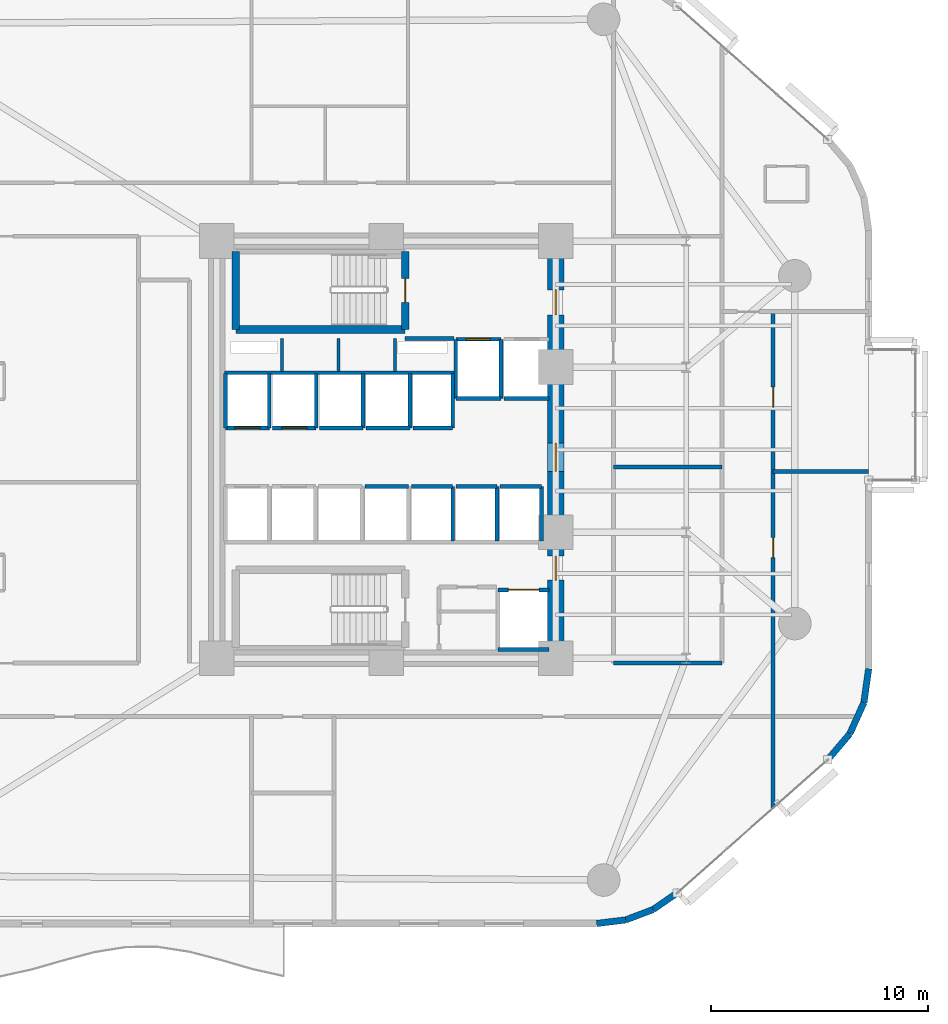
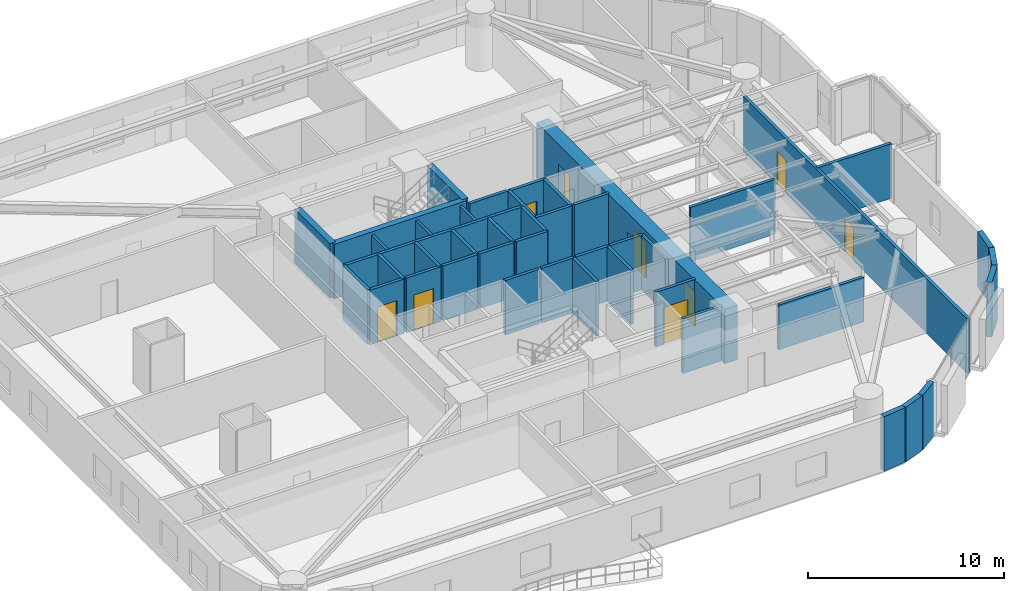
# One storey, part 11 of 16: 44 walls, 10 doors, 10 openings.
"""IFC4 building model written with IfcOpenShell, lengths in metres."""

from ifc_helpers import new_model, si_unit, direction, frame, frame_2d, origin, place, context, subcontext, project, spatial, rectangle, extrude, material, layer, layer_set, type_object, element, fill, save


model = new_model("IFC4")

# Units and contexts
model_context = context("Model", 3, precision=1e-05, world=origin(), true_north=direction((0.0, 1.0)))
body_context = subcontext(model_context, "Body", "Model", "MODEL_VIEW")
ifc_project = project(units=[si_unit("LENGTHUNIT", "METRE"), si_unit("AREAUNIT", "SQUARE_METRE"), si_unit("VOLUMEUNIT", "CUBIC_METRE"), si_unit("PLANEANGLEUNIT", "RADIAN"), si_unit("MASSUNIT", "GRAM", prefix="KILO")], contexts=[model_context])

# Site, building, storey
site_placement = place(None, origin())
site = spatial("IfcSite", under=ifc_project, at=site_placement, CompositionType="ELEMENT")
building_placement = place(site_placement, origin())
building = spatial("IfcBuilding", under=site, at=building_placement, Name="An Khanh Terracotta Commons", CompositionType="ELEMENT")
storey_placement = place(building_placement, frame((0.0, 0.0, 68.39990234375)))
storey = spatial("IfcBuildingStorey", under=building, at=storey_placement, Name="L18", CompositionType="ELEMENT", Elevation=68.39990234375)

# Wall, openings, doors
ifc_material_1 = material(Name="Concrete C70/85", Category="concrete")
ifc_layer_1 = layer(ifc_material_1, 0.75, Name="Concrete C70/85")
ifc_layer_set_1 = layer_set([ifc_layer_1], Name="Concrete C70/85")
wall_type_1 = type_object("IfcWallType", Name="WALL-CORE-750", PredefinedType="SHEAR", material=ifc_layer_set_1)
wall_1_placement = place(storey_placement, frame((37.199951171875, 14.39990234375, 0.0), z_axis=(0.0, 0.0, 1.0), x_axis=(0.0, 1.0, 0.0)))
wall_1 = element("IfcWall", 1, at=wall_1_placement, inside=storey, type_object=wall_type_1, Name="L18 Core Wall CWALL-L18-E", PredefinedType="SHEAR", context=body_context, shape_type="SweptSolid", body=[
    extrude(rectangle(XDim=19.2001953125, YDim=0.75, at=frame_2d((9.60009765625, 0.0))), origin(), (0.0, 0.0, 1.0), 3.400146484375),
])
opening_1_placement = place(wall_1_placement, frame((15.800048828125, 0.0, 0.0)))
opening_1 = element("IfcOpeningElement", 2, at=opening_1_placement, cuts=wall_1, Name="Opening D-FFL", PredefinedType="OPENING", context=body_context, shape_type="SweptSolid", body=[
    extrude(rectangle(XDim=1.14990234375, YDim=2.14990234375, at=frame_2d((0.574951171875, 1.074951171875))), frame((0.0, 0.385009765625, 0.0), z_axis=(0.0, -1.0, 0.0), x_axis=(1.0, 0.0, 0.0)), (0.0, 0.0, 1.0), 0.77001953125),
])
opening_2_placement = place(wall_1_placement, frame((3.60009765625, 0.0, 0.0)))
opening_2 = element("IfcOpeningElement", 3, at=opening_2_placement, cuts=wall_1, Name="Opening D-ST", PredefinedType="OPENING", context=body_context, shape_type="SweptSolid", body=[
    extrude(rectangle(XDim=1.10009765625, YDim=2.14990234375, at=frame_2d((0.550048828125, 1.074951171875))), frame((0.0, 0.385009765625, 0.0), z_axis=(0.0, -1.0, 0.0), x_axis=(1.0, 0.0, 0.0)), (0.0, 0.0, 1.0), 0.77001953125),
])
opening_3_placement = place(wall_1_placement, frame((8.60009765625, 0.0, 0.0)))
opening_3 = element("IfcOpeningElement", 4, at=opening_3_placement, cuts=wall_1, Name="Opening D-COR", PredefinedType="OPENING", context=body_context, shape_type="SweptSolid", body=[
    extrude(rectangle(XDim=1.300048828125, YDim=2.199951171875, at=frame_2d((0.64990234375, 1.10009765625))), frame((0.0, 0.385009765625, 0.0), z_axis=(0.0, -1.0, 0.0), x_axis=(1.0, 0.0, 0.0)), (0.0, 0.0, 1.0), 0.77001953125),
])
ifc_material_2 = material(Name="Fire-Rated Glazed Steel Double Door", Category="steel")
door_type_1 = type_object("IfcDoorType", Name="DOOR-CORR-1300", OperationType="NOTDEFINED", PredefinedType="DOOR", material=ifc_material_2)
door_1_placement = place(opening_3_placement, origin())
door_1 = element("IfcDoor", 5, at=door_1_placement, inside=storey, type_object=door_type_1, Name="L18 Passenger Lift Lobby Double Door", OperationType="DOUBLE_DOOR_SINGLE_SWING", OverallHeight=2.199951171875, OverallWidth=1.300048828125, PredefinedType="DOOR", context=body_context, shape_type="SweptSolid", body=[
    extrude(rectangle(XDim=1.300048828125, YDim=2.199951171875, at=frame_2d((0.64990234375, 1.10009765625))), frame((0.0, 0.02490234375, 0.0), z_axis=(0.0, -1.0, 0.0), x_axis=(1.0, 0.0, 0.0)), (0.0, 0.0, 1.0), 0.050048828125),
])
fill(opening_3, door_1)
ifc_material_3 = material(Name="Fire-Rated Steel Leaf and Vision Panel", Category="steel")
door_type_2 = type_object("IfcDoorType", Name="DOOR-FFL-1150", OperationType="NOTDEFINED", PredefinedType="DOOR", material=ifc_material_3)
door_2_placement = place(opening_1_placement, origin())
door_2 = element("IfcDoor", 6, at=door_2_placement, inside=storey, type_object=door_type_2, Name="L18 Firefighting Lift Lobby Fire Door", OperationType="SINGLE_SWING_RIGHT", OverallHeight=2.14990234375, OverallWidth=1.14990234375, PredefinedType="DOOR", context=body_context, shape_type="SweptSolid", body=[
    extrude(rectangle(XDim=1.14990234375, YDim=2.14990234375, at=frame_2d((0.574951171875, 1.074951171875))), frame((0.0, 0.02490234375, 0.0), z_axis=(0.0, -1.0, 0.0), x_axis=(1.0, 0.0, 0.0)), (0.0, 0.0, 1.0), 0.050048828125),
])
fill(opening_1, door_2)
ifc_material_4 = material(Name="Fire-Rated Steel Leaf and Frame", Category="steel")
door_type_3 = type_object("IfcDoorType", Name="DOOR-STAIR-1100", OperationType="NOTDEFINED", PredefinedType="DOOR", material=ifc_material_4)
door_3_placement = place(opening_2_placement, origin())
door_3 = element("IfcDoor", 7, at=door_3_placement, inside=storey, type_object=door_type_3, Name="L18 South Stair Lobby Fire Door", OperationType="SINGLE_SWING_LEFT", OverallHeight=2.14990234375, OverallWidth=1.10009765625, PredefinedType="DOOR", context=body_context, shape_type="SweptSolid", body=[
    extrude(rectangle(XDim=1.10009765625, YDim=2.14990234375, at=frame_2d((0.550048828125, 1.074951171875))), frame((0.0, 0.02490234375, 0.0), z_axis=(0.0, -1.0, 0.0), x_axis=(1.0, 0.0, 0.0)), (0.0, 0.0, 1.0), 0.050048828125),
])
fill(opening_2, door_3)

# Walls
ifc_material_5 = material(Name="Fire-Rated Gypsum Board on Steel Stud", Category="steel")
ifc_layer_2 = layer(ifc_material_5, 0.179931640625, Name="Fire-Rated Gypsum Board on Steel Stud")
ifc_layer_set_2 = layer_set([ifc_layer_2], Name="Fire-Rated Gypsum Board on Steel Stud")
wall_type_2 = type_object("IfcWallType", Name="WALL-CORR-180", PredefinedType="PARTITIONING", material=ifc_layer_set_2)
wall_2_placement = place(storey_placement, frame((30.27001953125, 29.1201171875, 0.0), z_axis=(0.0, 0.0, 1.0), x_axis=(1.0, 0.0, 0.0)))
element("IfcWall", 8, at=wall_2_placement, inside=storey, type_object=wall_type_2, Name="L18 Core Wall FFLW-L18-S", PredefinedType="PARTITIONING", context=body_context, shape_type="SweptSolid", body=[
    extrude(rectangle(XDim=2.239990234375, YDim=0.179931640625, at=frame_2d((1.1201171875, 0.0))), origin(), (0.0, 0.0, 1.0), 3.400146484375),
])
wall_3_placement = place(storey_placement, frame((21.949951171875, 27.5400390625, 0.0), z_axis=(0.0, 0.0, 1.0), x_axis=(1.0, 0.0, 0.0)))
element("IfcWall", 9, at=wall_3_placement, inside=storey, type_object=wall_type_2, Name="L18 Core Wall RSRW-L18-S", PredefinedType="PARTITIONING", context=body_context, shape_type="SweptSolid", body=[
    extrude(rectangle(XDim=10.56005859375, YDim=0.179931640625, at=frame_2d((5.280029296875, 0.0))), origin(), (0.0, 0.0, 1.0), 3.400146484375),
])

# Wall, opening, door
wall_4_placement = place(storey_placement, frame((32.60009765625, 29.080078125, 0.0), z_axis=(0.0, 0.0, 1.0), x_axis=(1.0, 0.0, 0.0)))
wall_4 = element("IfcWall", 10, at=wall_4_placement, inside=storey, type_object=wall_type_2, Name="L18 Core Wall LSH-L18-FFL-01-N", PredefinedType="PARTITIONING", context=body_context, shape_type="SweptSolid", body=[
    extrude(rectangle(XDim=2.079833984375, YDim=0.179931640625, at=frame_2d((1.0400390625, 0.0))), origin(), (0.0, 0.0, 1.0), 3.400146484375),
])
opening_4_placement = place(wall_4_placement, frame((0.489990234375, 0.0, 0.0)))
opening_4 = element("IfcOpeningElement", 11, at=opening_4_placement, cuts=wall_4, Name="Opening LD-FFL-01-L18", PredefinedType="OPENING", context=body_context, shape_type="SweptSolid", body=[
    extrude(rectangle(XDim=1.10009765625, YDim=2.199951171875, at=frame_2d((0.550048828125, 1.10009765625))), frame((0.0, 0.099853515625, 0.0), z_axis=(0.0, -1.0, 0.0), x_axis=(1.0, 0.0, 0.0)), (0.0, 0.0, 1.0), 0.199951171875),
])
ifc_material_6 = material(Name="Brushed Stainless Steel Fire Landing Door", Category="steel")
door_type_4 = type_object("IfcDoorType", Name="DOOR-LD-FFL-1100", OperationType="NOTDEFINED", PredefinedType="DOOR", material=ifc_material_6)
door_4_placement = place(opening_4_placement, origin())
door_4 = element("IfcDoor", 12, at=door_4_placement, inside=storey, type_object=door_type_4, Name="L18 Lift FFL-01 Sliding Landing Door", OperationType="DOUBLE_DOOR_SLIDING", OverallHeight=2.199951171875, OverallWidth=1.10009765625, PredefinedType="DOOR", context=body_context, shape_type="SweptSolid", body=[
    extrude(rectangle(XDim=1.10009765625, YDim=2.199951171875, at=frame_2d((0.550048828125, 1.10009765625))), frame((0.0, 0.02490234375, 0.0), z_axis=(0.0, -1.0, 0.0), x_axis=(1.0, 0.0, 0.0)), (0.0, 0.0, 1.0), 0.050048828125),
])
fill(opening_4, door_4)

# Walls
wall_5_placement = place(storey_placement, frame((34.679931640625, 26.35009765625, 0.0), z_axis=(0.0, 0.0, 1.0), x_axis=(-1.0, 0.0, 0.0)))
element("IfcWall", 13, at=wall_5_placement, inside=storey, type_object=wall_type_2, Name="L18 Core Wall LSH-L18-FFL-01-S", PredefinedType="PARTITIONING", context=body_context, shape_type="SweptSolid", body=[
    extrude(rectangle(XDim=2.079833984375, YDim=0.179931640625, at=frame_2d((1.0400390625, 0.0))), origin(), (0.0, 0.0, 1.0), 3.400146484375),
])
for number, where, z_axis, x_axis, name in (
    (14, (34.679931640625, 26.35009765625, 0.0), (0.0, 0.0, 1.0), (0.0, 1.0, 0.0), "L18 Core Wall LSH-L18-FFL-01-E"),
    (15, (32.60009765625, 29.080078125, 0.0), (0.0, 0.0, 1.0), (0.0, -1.0, 0.0), "L18 Core Wall LSH-L18-FFL-01-W"),
):
    element("IfcWall", number, at=place(storey_placement, frame(where, z_axis=z_axis, x_axis=x_axis)), inside=storey, type_object=wall_type_2, Name=name, PredefinedType="PARTITIONING", context=body_context, shape_type="SweptSolid", body=[
        extrude(rectangle(XDim=2.72998046875, YDim=0.179931640625, at=frame_2d((1.364990234375, 0.0))), origin(), (0.0, 0.0, 1.0), 3.400146484375),
    ])
wall_6_placement = place(storey_placement, frame((36.89990234375, 26.35009765625, 0.0), z_axis=(0.0, 0.0, 1.0), x_axis=(-1.0, 0.0, 0.0)))
element("IfcWall", 16, at=wall_6_placement, inside=storey, type_object=wall_type_2, Name="L18 Core Wall LSH-L18-FFL-02-S", PredefinedType="PARTITIONING", context=body_context, shape_type="SweptSolid", body=[
    extrude(rectangle(XDim=2.079833984375, YDim=0.179931640625, at=frame_2d((1.0400390625, 0.0))), origin(), (0.0, 0.0, 1.0), 3.400146484375),
])

# Wall, opening, door
wall_7_placement = place(storey_placement, frame((34.550048828125, 17.550048828125, 0.0), z_axis=(0.0, 0.0, 1.0), x_axis=(1.0, 0.0, 0.0)))
wall_7 = element("IfcWall", 17, at=wall_7_placement, inside=storey, type_object=wall_type_2, Name="L18 Core Wall LSH-L18-SVL-01-N", PredefinedType="PARTITIONING", context=body_context, shape_type="SweptSolid", body=[
    extrude(rectangle(XDim=2.349853515625, YDim=0.179931640625, at=frame_2d((1.1748046875, 0.0))), origin(), (0.0, 0.0, 1.0), 3.400146484375),
])
opening_5_placement = place(wall_7_placement, frame((0.47509765625, 0.0, 0.0)))
opening_5 = element("IfcOpeningElement", 18, at=opening_5_placement, cuts=wall_7, Name="Opening LD-SVL-01-L18", PredefinedType="OPENING", context=body_context, shape_type="SweptSolid", body=[
    extrude(rectangle(XDim=1.39990234375, YDim=2.300048828125, at=frame_2d((0.699951171875, 1.14990234375))), frame((0.0, 0.099853515625, 0.0), z_axis=(0.0, -1.0, 0.0), x_axis=(1.0, 0.0, 0.0)), (0.0, 0.0, 1.0), 0.199951171875),
])
ifc_material_7 = material(Name="Heavy-Duty Stainless Steel Goods Landing Door", Category="steel")
door_type_5 = type_object("IfcDoorType", Name="DOOR-LD-SVL-1400", OperationType="NOTDEFINED", PredefinedType="DOOR", material=ifc_material_7)
door_5_placement = place(opening_5_placement, origin())
door_5 = element("IfcDoor", 19, at=door_5_placement, inside=storey, type_object=door_type_5, Name="L18 Lift SVL-01 Sliding Landing Door", OperationType="DOUBLE_DOOR_SLIDING", OverallHeight=2.300048828125, OverallWidth=1.39990234375, PredefinedType="DOOR", context=body_context, shape_type="SweptSolid", body=[
    extrude(rectangle(XDim=1.39990234375, YDim=2.300048828125, at=frame_2d((0.699951171875, 1.14990234375))), frame((0.0, 0.02490234375, 0.0), z_axis=(0.0, -1.0, 0.0), x_axis=(1.0, 0.0, 0.0)), (0.0, 0.0, 1.0), 0.050048828125),
])
fill(opening_5, door_5)

# Wall
wall_8_placement = place(storey_placement, frame((36.89990234375, 14.800048828125, 0.0), z_axis=(0.0, 0.0, 1.0), x_axis=(-1.0, 0.0, 0.0)))
element("IfcWall", 20, at=wall_8_placement, inside=storey, type_object=wall_type_2, Name="L18 Core Wall LSH-L18-SVL-01-S", PredefinedType="PARTITIONING", context=body_context, shape_type="SweptSolid", body=[
    extrude(rectangle(XDim=2.349853515625, YDim=0.179931640625, at=frame_2d((1.1748046875, 0.0))), origin(), (0.0, 0.0, 1.0), 3.400146484375),
])

# Wall, opening, door
wall_9_placement = place(storey_placement, frame((24.02001953125, 25.0, 0.0), z_axis=(0.0, 0.0, 1.0), x_axis=(-1.0, 0.0, 0.0)))
wall_9 = element("IfcWall", 21, at=wall_9_placement, inside=storey, type_object=wall_type_2, Name="L18 Core Wall LSH-L18-PL-L1-S", PredefinedType="PARTITIONING", context=body_context, shape_type="SweptSolid", body=[
    extrude(rectangle(XDim=2.02001953125, YDim=0.179931640625, at=frame_2d((1.010009765625, 0.0))), origin(), (0.0, 0.0, 1.0), 3.400146484375),
])
opening_6_placement = place(wall_9_placement, frame((0.43505859375, 0.0, 0.0)))
opening_6 = element("IfcOpeningElement", 22, at=opening_6_placement, cuts=wall_9, Name="Opening LD-PL-L1-L18", PredefinedType="OPENING", context=body_context, shape_type="SweptSolid", body=[
    extrude(rectangle(XDim=1.14990234375, YDim=2.199951171875, at=frame_2d((0.574951171875, 1.10009765625))), frame((0.0, 0.099853515625, 0.0), z_axis=(0.0, -1.0, 0.0), x_axis=(1.0, 0.0, 0.0)), (0.0, 0.0, 1.0), 0.199951171875),
])
ifc_material_8 = material(Name="Brushed Stainless Steel Passenger Landing Door", Category="steel")
door_type_6 = type_object("IfcDoorType", Name="DOOR-LD-PAX-1150", OperationType="NOTDEFINED", PredefinedType="DOOR", material=ifc_material_8)
door_6_placement = place(opening_6_placement, origin())
door_6 = element("IfcDoor", 23, at=door_6_placement, inside=storey, type_object=door_type_6, Name="L18 Lift PL-L1 Sliding Landing Door", OperationType="DOUBLE_DOOR_SLIDING", OverallHeight=2.199951171875, OverallWidth=1.14990234375, PredefinedType="DOOR", context=body_context, shape_type="SweptSolid", body=[
    extrude(rectangle(XDim=1.14990234375, YDim=2.199951171875, at=frame_2d((0.574951171875, 1.10009765625))), frame((0.0, 0.02490234375, 0.0), z_axis=(0.0, -1.0, 0.0), x_axis=(1.0, 0.0, 0.0)), (0.0, 0.0, 1.0), 0.050048828125),
])
fill(opening_6, door_6)

# Walls
for number, where, z_axis, x_axis, name in (
    (24, (24.02001953125, 25.0, 0.0), (0.0, 0.0, 1.0), (0.0, 1.0, 0.0), "L18 Core Wall LSH-L18-PL-L1-E"),
    (25, (22.0, 27.5, 0.0), (0.0, 0.0, 1.0), (0.0, -1.0, 0.0), "L18 Core Wall LSH-L18-PL-L1-W"),
):
    element("IfcWall", number, at=place(storey_placement, frame(where, z_axis=z_axis, x_axis=x_axis)), inside=storey, type_object=wall_type_2, Name=name, PredefinedType="PARTITIONING", context=body_context, shape_type="SweptSolid", body=[
        extrude(rectangle(XDim=2.5, YDim=0.179931640625, at=frame_2d((1.25, 0.0))), origin(), (0.0, 0.0, 1.0), 3.400146484375),
    ])

# Wall, opening, door
wall_10_placement = place(storey_placement, frame((26.179931640625, 25.0, 0.0), z_axis=(0.0, 0.0, 1.0), x_axis=(-1.0, 0.0, 0.0)))
wall_10 = element("IfcWall", 26, at=wall_10_placement, inside=storey, type_object=wall_type_2, Name="L18 Core Wall LSH-L18-PL-L2-S", PredefinedType="PARTITIONING", context=body_context, shape_type="SweptSolid", body=[
    extrude(rectangle(XDim=2.02001953125, YDim=0.179931640625, at=frame_2d((1.010009765625, 0.0))), origin(), (0.0, 0.0, 1.0), 3.400146484375),
])
opening_7_placement = place(wall_10_placement, frame((0.43505859375, 0.0, 0.0)))
opening_7 = element("IfcOpeningElement", 27, at=opening_7_placement, cuts=wall_10, Name="Opening LD-PL-L2-L18", PredefinedType="OPENING", context=body_context, shape_type="SweptSolid", body=[
    extrude(rectangle(XDim=1.14990234375, YDim=2.199951171875, at=frame_2d((0.574951171875, 1.10009765625))), frame((0.0, 0.099853515625, 0.0), z_axis=(0.0, -1.0, 0.0), x_axis=(1.0, 0.0, 0.0)), (0.0, 0.0, 1.0), 0.199951171875),
])
door_7_placement = place(opening_7_placement, origin())
door_7 = element("IfcDoor", 28, at=door_7_placement, inside=storey, type_object=door_type_6, Name="L18 Lift PL-L2 Sliding Landing Door", OperationType="DOUBLE_DOOR_SLIDING", OverallHeight=2.199951171875, OverallWidth=1.14990234375, PredefinedType="DOOR", context=body_context, shape_type="SweptSolid", body=[
    extrude(rectangle(XDim=1.14990234375, YDim=2.199951171875, at=frame_2d((0.574951171875, 1.10009765625))), frame((0.0, 0.02490234375, 0.0), z_axis=(0.0, -1.0, 0.0), x_axis=(1.0, 0.0, 0.0)), (0.0, 0.0, 1.0), 0.050048828125),
])
fill(opening_7, door_7)

# Walls
wall_11_placement = place(storey_placement, frame((26.179931640625, 25.0, 0.0), z_axis=(0.0, 0.0, 1.0), x_axis=(0.0, 1.0, 0.0)))
element("IfcWall", 29, at=wall_11_placement, inside=storey, type_object=wall_type_2, Name="L18 Core Wall LSH-L18-PL-L2-E", PredefinedType="PARTITIONING", context=body_context, shape_type="SweptSolid", body=[
    extrude(rectangle(XDim=2.5, YDim=0.179931640625, at=frame_2d((1.25, 0.0))), origin(), (0.0, 0.0, 1.0), 3.400146484375),
])
wall_12_placement = place(storey_placement, frame((28.340087890625, 25.0, 0.0), z_axis=(0.0, 0.0, 1.0), x_axis=(-1.0, 0.0, 0.0)))
element("IfcWall", 30, at=wall_12_placement, inside=storey, type_object=wall_type_2, Name="L18 Core Wall LSH-L18-PL-M1-S", PredefinedType="PARTITIONING", context=body_context, shape_type="SweptSolid", body=[
    extrude(rectangle(XDim=2.02001953125, YDim=0.179931640625, at=frame_2d((1.010009765625, 0.0))), origin(), (0.0, 0.0, 1.0), 3.400146484375),
])
wall_13_placement = place(storey_placement, frame((28.340087890625, 25.0, 0.0), z_axis=(0.0, 0.0, 1.0), x_axis=(0.0, 1.0, 0.0)))
element("IfcWall", 31, at=wall_13_placement, inside=storey, type_object=wall_type_2, Name="L18 Core Wall LSH-L18-PL-M1-E", PredefinedType="PARTITIONING", context=body_context, shape_type="SweptSolid", body=[
    extrude(rectangle(XDim=2.5, YDim=0.179931640625, at=frame_2d((1.25, 0.0))), origin(), (0.0, 0.0, 1.0), 3.400146484375),
])
wall_14_placement = place(storey_placement, frame((30.5, 25.0, 0.0), z_axis=(0.0, 0.0, 1.0), x_axis=(-1.0, 0.0, 0.0)))
element("IfcWall", 32, at=wall_14_placement, inside=storey, type_object=wall_type_2, Name="L18 Core Wall LSH-L18-PL-M2-S", PredefinedType="PARTITIONING", context=body_context, shape_type="SweptSolid", body=[
    extrude(rectangle(XDim=2.02001953125, YDim=0.179931640625, at=frame_2d((1.010009765625, 0.0))), origin(), (0.0, 0.0, 1.0), 3.400146484375),
])
wall_15_placement = place(storey_placement, frame((30.5, 25.0, 0.0), z_axis=(0.0, 0.0, 1.0), x_axis=(0.0, 1.0, 0.0)))
element("IfcWall", 33, at=wall_15_placement, inside=storey, type_object=wall_type_2, Name="L18 Core Wall LSH-L18-PL-M2-E", PredefinedType="PARTITIONING", context=body_context, shape_type="SweptSolid", body=[
    extrude(rectangle(XDim=2.5, YDim=0.179931640625, at=frame_2d((1.25, 0.0))), origin(), (0.0, 0.0, 1.0), 3.400146484375),
])
wall_16_placement = place(storey_placement, frame((28.419921875, 22.300048828125, 0.0), z_axis=(0.0, 0.0, 1.0), x_axis=(1.0, 0.0, 0.0)))
element("IfcWall", 34, at=wall_16_placement, inside=storey, type_object=wall_type_2, Name="L18 Core Wall LSH-L18-PL-M4-N", PredefinedType="PARTITIONING", context=body_context, shape_type="SweptSolid", body=[
    extrude(rectangle(XDim=2.0, YDim=0.179931640625, at=frame_2d((1.0, 0.0))), origin(), (0.0, 0.0, 1.0), 3.400146484375),
])
wall_17_placement = place(storey_placement, frame((32.4599609375, 25.0, 0.0), z_axis=(0.0, 0.0, 1.0), x_axis=(-1.0, 0.0, 0.0)))
element("IfcWall", 35, at=wall_17_placement, inside=storey, type_object=wall_type_2, Name="L18 Core Wall LSH-L18-PL-H1-S", PredefinedType="PARTITIONING", context=body_context, shape_type="SweptSolid", body=[
    extrude(rectangle(XDim=1.820068359375, YDim=0.179931640625, at=frame_2d((0.91015625, 0.0))), origin(), (0.0, 0.0, 1.0), 3.400146484375),
])
wall_18_placement = place(storey_placement, frame((32.4599609375, 25.0, 0.0), z_axis=(0.0, 0.0, 1.0), x_axis=(0.0, 1.0, 0.0)))
element("IfcWall", 36, at=wall_18_placement, inside=storey, type_object=wall_type_2, Name="L18 Core Wall LSH-L18-PL-H1-E", PredefinedType="PARTITIONING", context=body_context, shape_type="SweptSolid", body=[
    extrude(rectangle(XDim=2.5, YDim=0.179931640625, at=frame_2d((1.25, 0.0))), origin(), (0.0, 0.0, 1.0), 3.400146484375),
])
wall_19_placement = place(storey_placement, frame((30.56005859375, 22.300048828125, 0.0), z_axis=(0.0, 0.0, 1.0), x_axis=(1.0, 0.0, 0.0)))
element("IfcWall", 37, at=wall_19_placement, inside=storey, type_object=wall_type_2, Name="L18 Core Wall LSH-L18-PL-H2-N", PredefinedType="PARTITIONING", context=body_context, shape_type="SweptSolid", body=[
    extrude(rectangle(XDim=1.89990234375, YDim=0.179931640625, at=frame_2d((0.949951171875, 0.0))), origin(), (0.0, 0.0, 1.0), 3.400146484375),
])
wall_20_placement = place(storey_placement, frame((32.4599609375, 19.800048828125, 0.0), z_axis=(0.0, 0.0, 1.0), x_axis=(0.0, 1.0, 0.0)))
element("IfcWall", 38, at=wall_20_placement, inside=storey, type_object=wall_type_2, Name="L18 Core Wall LSH-L18-PL-H2-E", PredefinedType="PARTITIONING", context=body_context, shape_type="SweptSolid", body=[
    extrude(rectangle(XDim=2.5, YDim=0.179931640625, at=frame_2d((1.25, 0.0))), origin(), (0.0, 0.0, 1.0), 3.400146484375),
])
wall_21_placement = place(storey_placement, frame((32.60009765625, 22.300048828125, 0.0), z_axis=(0.0, 0.0, 1.0), x_axis=(1.0, 0.0, 0.0)))
element("IfcWall", 39, at=wall_21_placement, inside=storey, type_object=wall_type_2, Name="L18 Core Wall LSH-L18-PL-H3-N", PredefinedType="PARTITIONING", context=body_context, shape_type="SweptSolid", body=[
    extrude(rectangle(XDim=1.89990234375, YDim=0.179931640625, at=frame_2d((0.949951171875, 0.0))), origin(), (0.0, 0.0, 1.0), 3.400146484375),
])
wall_22_placement = place(storey_placement, frame((34.5, 19.800048828125, 0.0), z_axis=(0.0, 0.0, 1.0), x_axis=(0.0, 1.0, 0.0)))
element("IfcWall", 40, at=wall_22_placement, inside=storey, type_object=wall_type_2, Name="L18 Core Wall LSH-L18-PL-H3-E", PredefinedType="PARTITIONING", context=body_context, shape_type="SweptSolid", body=[
    extrude(rectangle(XDim=2.5, YDim=0.179931640625, at=frame_2d((1.25, 0.0))), origin(), (0.0, 0.0, 1.0), 3.400146484375),
])
wall_23_placement = place(storey_placement, frame((34.639892578125, 22.300048828125, 0.0), z_axis=(0.0, 0.0, 1.0), x_axis=(1.0, 0.0, 0.0)))
element("IfcWall", 41, at=wall_23_placement, inside=storey, type_object=wall_type_2, Name="L18 Core Wall LSH-L18-PL-H4-N", PredefinedType="PARTITIONING", context=body_context, shape_type="SweptSolid", body=[
    extrude(rectangle(XDim=1.900146484375, YDim=0.179931640625, at=frame_2d((0.9501953125, 0.0))), origin(), (0.0, 0.0, 1.0), 3.400146484375),
])
wall_24_placement = place(storey_placement, frame((36.5400390625, 19.800048828125, 0.0), z_axis=(0.0, 0.0, 1.0), x_axis=(0.0, 1.0, 0.0)))
element("IfcWall", 42, at=wall_24_placement, inside=storey, type_object=wall_type_2, Name="L18 Core Wall LSH-L18-PL-H4-E", PredefinedType="PARTITIONING", context=body_context, shape_type="SweptSolid", body=[
    extrude(rectangle(XDim=2.5, YDim=0.179931640625, at=frame_2d((1.25, 0.0))), origin(), (0.0, 0.0, 1.0), 3.400146484375),
])
wall_25_placement = place(storey_placement, frame((39.85009765625, 14.179931640625, 0.0), z_axis=(0.0, 0.0, 1.0), x_axis=(1.0, 0.0, 0.0)))
element("IfcWall", 43, at=wall_25_placement, inside=storey, type_object=wall_type_2, Name="L18 Interior Partition IW-L18-E004", PredefinedType="PARTITIONING", context=body_context, shape_type="SweptSolid", body=[
    extrude(rectangle(XDim=5.0, YDim=0.179931640625, at=frame_2d((2.5, 0.0))), origin(), (0.0, 0.0, 1.0), 2.781982421875),
])
wall_26_placement = place(storey_placement, frame((47.199951171875, 23.0, 0.0), z_axis=(0.0, 0.0, 1.0), x_axis=(1.0, 0.0, 0.0)))
element("IfcWall", 44, at=wall_26_placement, inside=storey, type_object=wall_type_2, Name="L18 Interior Partition IW-L18-E006", PredefinedType="PARTITIONING", context=body_context, shape_type="SweptSolid", body=[
    extrude(rectangle(XDim=4.400146484375, YDim=0.179931640625, at=frame_2d((2.2001953125, 0.0))), origin(), (0.0, 0.0, 1.0), 3.400146484375),
])
wall_27_placement = place(storey_placement, frame((39.85009765625, 23.199951171875, 0.0), z_axis=(0.0, 0.0, 1.0), x_axis=(1.0, 0.0, 0.0)))
element("IfcWall", 45, at=wall_27_placement, inside=storey, type_object=wall_type_2, Name="L18 Interior Partition IW-L18-E007", PredefinedType="PARTITIONING", context=body_context, shape_type="SweptSolid", body=[
    extrude(rectangle(XDim=5.0, YDim=0.179931640625, at=frame_2d((2.5, 0.0))), origin(), (0.0, 0.0, 1.0), 3.400146484375),
])

# Wall, openings, doors
wall_28_placement = place(storey_placement, frame((47.199951171875, 7.508056640625, 0.0), z_axis=(0.0, 0.0, 1.0), x_axis=(0.0, 1.0, 0.0)))
wall_28 = element("IfcWall", 46, at=wall_28_placement, inside=storey, type_object=wall_type_2, Name="L18 Interior Partition IW-L18-E025", PredefinedType="PARTITIONING", context=body_context, shape_type="SweptSolid", body=[
    extrude(rectangle(XDim=22.842041015625, YDim=0.179931640625, at=frame_2d((11.4208984375, 0.0))), origin(), (0.0, 0.0, 1.0), 3.400146484375),
])
opening_8_placement = place(wall_28_placement, frame((18.447021484375, 0.0, 0.0)))
opening_8 = element("IfcOpeningElement", 47, at=opening_8_placement, cuts=wall_28, Name="Opening D-RM", PredefinedType="OPENING", context=body_context, shape_type="SweptSolid", body=[
    extrude(rectangle(XDim=0.919921875, YDim=2.10009765625, at=frame_2d((0.4599609375, 1.050048828125))), frame((0.0, 0.099853515625, 0.0), z_axis=(0.0, -1.0, 0.0), x_axis=(1.0, 0.0, 0.0)), (0.0, 0.0, 1.0), 0.199951171875),
])
opening_9_placement = place(wall_28_placement, frame((11.52392578125, 0.0, 0.0)))
opening_9 = element("IfcOpeningElement", 48, at=opening_9_placement, cuts=wall_28, Name="Opening D-RM", PredefinedType="OPENING", context=body_context, shape_type="SweptSolid", body=[
    extrude(rectangle(XDim=0.919921875, YDim=2.10009765625, at=frame_2d((0.4599609375, 1.050048828125))), frame((0.0, 0.099853515625, 0.0), z_axis=(0.0, -1.0, 0.0), x_axis=(1.0, 0.0, 0.0)), (0.0, 0.0, 1.0), 0.199951171875),
])
ifc_material_9 = material(Name="Engineered Hardwood Timber Leaf", Category="wood")
door_type_7 = type_object("IfcDoorType", Name="DOOR-INT-920", OperationType="NOTDEFINED", PredefinedType="DOOR", material=ifc_material_9)
door_8_placement = place(opening_8_placement, origin())
door_8 = element("IfcDoor", 49, at=door_8_placement, inside=storey, type_object=door_type_7, Name="L18 ENO1 Co-Living Private Bedroom Door", OperationType="SINGLE_SWING_LEFT", OverallHeight=2.10009765625, OverallWidth=0.919921875, PredefinedType="DOOR", context=body_context, shape_type="SweptSolid", body=[
    extrude(rectangle(XDim=0.919921875, YDim=2.10009765625, at=frame_2d((0.4599609375, 1.050048828125))), frame((0.0, 0.02490234375, 0.0), z_axis=(0.0, -1.0, 0.0), x_axis=(1.0, 0.0, 0.0)), (0.0, 0.0, 1.0), 0.050048828125),
])
fill(opening_8, door_8)
door_9_placement = place(opening_9_placement, origin())
door_9 = element("IfcDoor", 50, at=door_9_placement, inside=storey, type_object=door_type_7, Name="L18 ENO2 Co-Living Master Bedroom Door", OperationType="SINGLE_SWING_RIGHT", OverallHeight=2.10009765625, OverallWidth=0.919921875, PredefinedType="DOOR", context=body_context, shape_type="SweptSolid", body=[
    extrude(rectangle(XDim=0.919921875, YDim=2.10009765625, at=frame_2d((0.4599609375, 1.050048828125))), frame((0.0, 0.02490234375, 0.0), z_axis=(0.0, -1.0, 0.0), x_axis=(1.0, 0.0, 0.0)), (0.0, 0.0, 1.0), 0.050048828125),
])
fill(opening_9, door_9)

# Walls
ifc_material_10 = material(Name="Precast concrete C40/50", Category="concrete")
ifc_layer_3 = layer(ifc_material_10, 0.300048828125, Name="Precast concrete C40/50")
ifc_layer_set_3 = layer_set([ifc_layer_3], Name="Precast concrete C40/50")
wall_type_3 = type_object("IfcWallType", Name="WALL-EXT-300", PredefinedType="SOLIDWALL", material=ifc_layer_set_3)
wall_29_placement = place(storey_placement, frame((39.0791015625, 2.199951171875, 0.0), z_axis=(0.0, 0.0, 1.0), x_axis=(0.992739027259, 0.120288086515, 0.0)))
element("IfcWall", 51, at=wall_29_placement, inside=storey, type_object=wall_type_3, Name="L18 Insulated Terracotta Exterior Wall 5", PredefinedType="SOLIDWALL", context=body_context, shape_type="SweptSolid", body=[
    extrude(rectangle(XDim=1.34765625, YDim=0.300048828125, at=frame_2d((0.673828125, 0.0))), origin(), (0.0, 0.0, 1.0), 3.400146484375),
])
wall_30_placement = place(storey_placement, frame((40.4169921875, 2.362060546875, 0.0), z_axis=(0.0, 0.0, 1.0), x_axis=(0.935156721165, 0.354234254216, 0.0)))
element("IfcWall", 52, at=wall_30_placement, inside=storey, type_object=wall_type_3, Name="L18 Insulated Terracotta Exterior Wall 6", PredefinedType="SOLIDWALL", context=body_context, shape_type="SweptSolid", body=[
    extrude(rectangle(XDim=1.349365234375, YDim=0.300048828125, at=frame_2d((0.6748046875, 0.0))), origin(), (0.0, 0.0, 1.0), 3.400146484375),
])
wall_31_placement = place(storey_placement, frame((41.678955078125, 2.840087890625, 0.0), z_axis=(0.0, 0.0, 1.0), x_axis=(0.823116500192, 0.567872544777, 0.0)))
element("IfcWall", 53, at=wall_31_placement, inside=storey, type_object=wall_type_3, Name="L18 Insulated Terracotta Exterior Wall 7", PredefinedType="SOLIDWALL", context=body_context, shape_type="SweptSolid", body=[
    extrude(rectangle(XDim=1.3486328125, YDim=0.300048828125, at=frame_2d((0.67431640625, 0.0))), origin(), (0.0, 0.0, 1.0), 3.400146484375),
])
wall_32_placement = place(storey_placement, frame((49.7099609375, 9.72802734375, 0.0), z_axis=(0.0, 0.0, 1.0), x_axis=(0.648389989909, 0.7613083613, 0.0)))
element("IfcWall", 54, at=wall_32_placement, inside=storey, type_object=wall_type_3, Name="L18 Insulated Terracotta Exterior Wall 9", PredefinedType="SOLIDWALL", context=body_context, shape_type="SweptSolid", body=[
    extrude(rectangle(XDim=1.576171875, YDim=0.300048828125, at=frame_2d((0.7880859375, 0.0))), origin(), (0.0, 0.0, 1.0), 3.400146484375),
])
wall_33_placement = place(storey_placement, frame((50.73193359375, 10.927978515625, 0.0), z_axis=(0.0, 0.0, 1.0), x_axis=(0.410996558744, 0.911636895206, 0.0)))
element("IfcWall", 55, at=wall_33_placement, inside=storey, type_object=wall_type_3, Name="L18 Insulated Terracotta Exterior Wall 10", PredefinedType="SOLIDWALL", context=body_context, shape_type="SweptSolid", body=[
    extrude(rectangle(XDim=1.57421875, YDim=0.300048828125, at=frame_2d((0.787109375, 0.0))), origin(), (0.0, 0.0, 1.0), 3.400146484375),
])
wall_34_placement = place(storey_placement, frame((51.37890625, 12.363037109375, 0.0), z_axis=(0.0, 0.0, 1.0), x_axis=(0.140380048512, 0.990097693149, 0.0)))
element("IfcWall", 56, at=wall_34_placement, inside=storey, type_object=wall_type_3, Name="L18 Insulated Terracotta Exterior Wall 11", PredefinedType="SOLIDWALL", context=body_context, shape_type="SweptSolid", body=[
    extrude(rectangle(XDim=1.57568359375, YDim=0.300048828125, at=frame_2d((0.787841796875, 0.0))), origin(), (0.0, 0.0, 1.0), 3.400146484375),
])
ifc_material_11 = material(Name="Acoustic Gypsum Board Partition")
ifc_layer_4 = layer(ifc_material_11, 0.14990234375, Name="Acoustic Gypsum Board Partition")
ifc_layer_set_4 = layer_set([ifc_layer_4], Name="Acoustic Gypsum Board Partition")
wall_type_4 = type_object("IfcWallType", Name="WALL-PART-150", PredefinedType="PARTITIONING", material=ifc_layer_set_4)
for number, where, z_axis, x_axis, name in (
    (57, (24.60009765625, 27.60009765625, 0.0), (0.0, 0.0, 1.0), (0.0, 1.0, 0.0), "L18 Core Wall RSRW-L18-D1"),
    (58, (27.199951171875, 27.60009765625, 0.0), (0.0, 0.0, 1.0), (0.0, 1.0, 0.0), "L18 Core Wall RSRW-L18-D2"),
    (59, (29.800048828125, 27.60009765625, 0.0), (0.0, 0.0, 1.0), (0.0, 1.0, 0.0), "L18 Core Wall RSRW-L18-D3"),
):
    element("IfcWall", number, at=place(storey_placement, frame(where, z_axis=z_axis, x_axis=x_axis)), inside=storey, type_object=wall_type_4, Name=name, PredefinedType="PARTITIONING", context=body_context, shape_type="SweptSolid", body=[
        extrude(rectangle(XDim=1.52001953125, YDim=0.14990234375, at=frame_2d((0.760009765625, 0.0))), origin(), (0.0, 0.0, 1.0), 3.400146484375),
    ])
ifc_material_12 = material(Name="Concrete C50/60", Category="concrete")
ifc_layer_5 = layer(ifc_material_12, 0.35009765625, Name="Concrete C50/60")
ifc_layer_set_5 = layer_set([ifc_layer_5], Name="Concrete C50/60")
wall_type_5 = type_object("IfcWallType", Name="WALL-SHAFT-350", PredefinedType="SOLIDWALL", material=ifc_layer_set_5)
wall_35_placement = place(storey_placement, frame((22.47998046875, 29.530029296875, 0.0), z_axis=(0.0, 0.0, 1.0), x_axis=(1.0, 0.0, 0.0)))
element("IfcWall", 60, at=wall_35_placement, inside=storey, type_object=wall_type_5, Name="L18 Core Wall STW-L18-N-S", PredefinedType="SOLIDWALL", context=body_context, shape_type="SweptSolid", body=[
    extrude(rectangle(XDim=7.7900390625, YDim=0.35009765625, at=frame_2d((3.89501953125, 0.0))), origin(), (0.0, 0.0, 1.0), 3.400146484375),
])
wall_36_placement = place(storey_placement, frame((22.47998046875, 29.530029296875, 0.0), z_axis=(0.0, 0.0, 1.0), x_axis=(0.0, 1.0, 0.0)))
element("IfcWall", 61, at=wall_36_placement, inside=storey, type_object=wall_type_5, Name="L18 Core Wall STW-L18-N-W", PredefinedType="SOLIDWALL", context=body_context, shape_type="SweptSolid", body=[
    extrude(rectangle(XDim=3.580078125, YDim=0.35009765625, at=frame_2d((1.7900390625, 0.0))), origin(), (0.0, 0.0, 1.0), 3.400146484375),
])

# Wall, opening, door
wall_37_placement = place(storey_placement, frame((30.27001953125, 29.530029296875, 0.0), z_axis=(0.0, 0.0, 1.0), x_axis=(0.0, 1.0, 0.0)))
wall_37 = element("IfcWall", 62, at=wall_37_placement, inside=storey, type_object=wall_type_5, Name="L18 Core Wall STW-L18-N-E", PredefinedType="SOLIDWALL", context=body_context, shape_type="SweptSolid", body=[
    extrude(rectangle(XDim=3.580078125, YDim=0.35009765625, at=frame_2d((1.7900390625, 0.0))), origin(), (0.0, 0.0, 1.0), 3.400146484375),
])
opening_10_placement = place(wall_37_placement, frame((1.25, 0.0, 0.0)))
opening_10 = element("IfcOpeningElement", 63, at=opening_10_placement, cuts=wall_37, Name="Opening D-ST", PredefinedType="OPENING", context=body_context, shape_type="SweptSolid", body=[
    extrude(rectangle(XDim=1.10009765625, YDim=2.14990234375, at=frame_2d((0.550048828125, 1.074951171875))), frame((0.0, 0.18505859375, 0.0), z_axis=(0.0, -1.0, 0.0), x_axis=(1.0, 0.0, 0.0)), (0.0, 0.0, 1.0), 0.3701171875),
])
door_10_placement = place(opening_10_placement, origin())
door_10 = element("IfcDoor", 64, at=door_10_placement, inside=storey, type_object=door_type_3, Name="L18 Stair ST-01 Fire Door", OperationType="SINGLE_SWING_RIGHT", OverallHeight=2.14990234375, OverallWidth=1.10009765625, PredefinedType="DOOR", context=body_context, shape_type="SweptSolid", body=[
    extrude(rectangle(XDim=1.10009765625, YDim=2.14990234375, at=frame_2d((0.550048828125, 1.074951171875))), frame((0.0, 0.02490234375, 0.0), z_axis=(0.0, -1.0, 0.0), x_axis=(1.0, 0.0, 0.0)), (0.0, 0.0, 1.0), 0.050048828125),
])
fill(opening_10, door_10)

save(model, "model.ifc")
